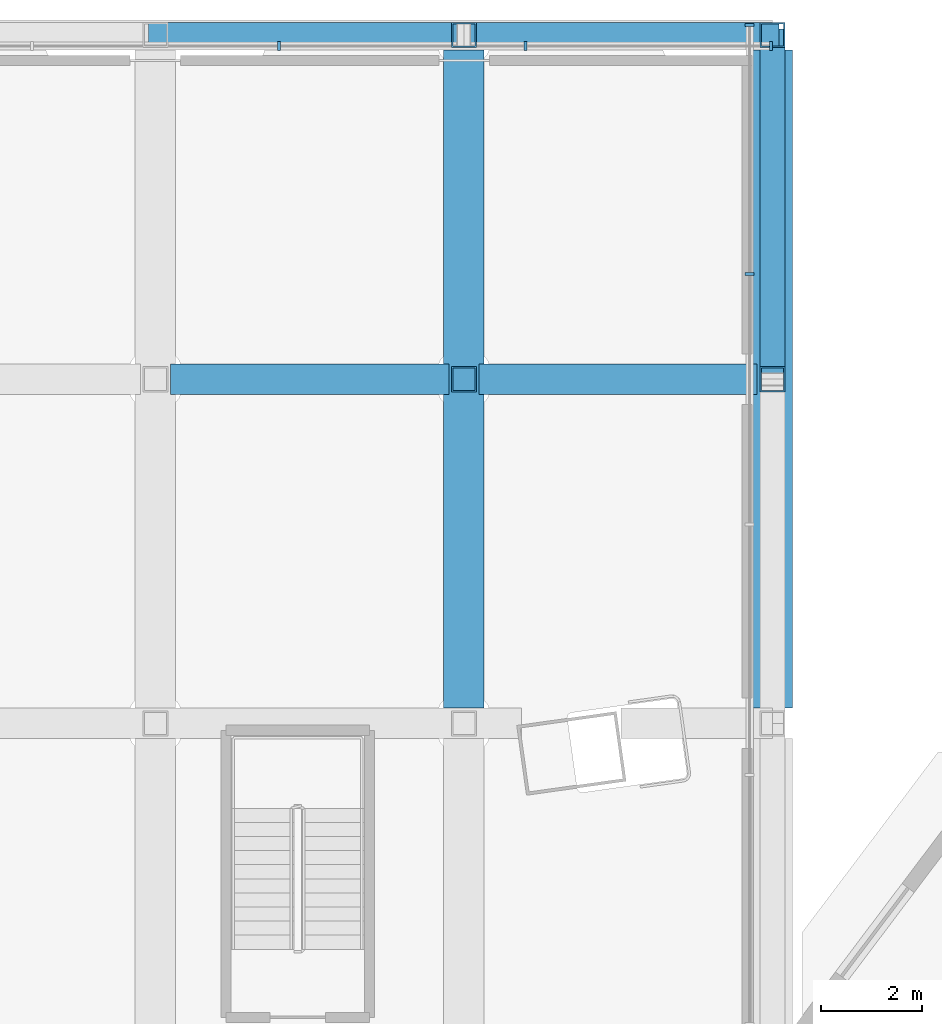
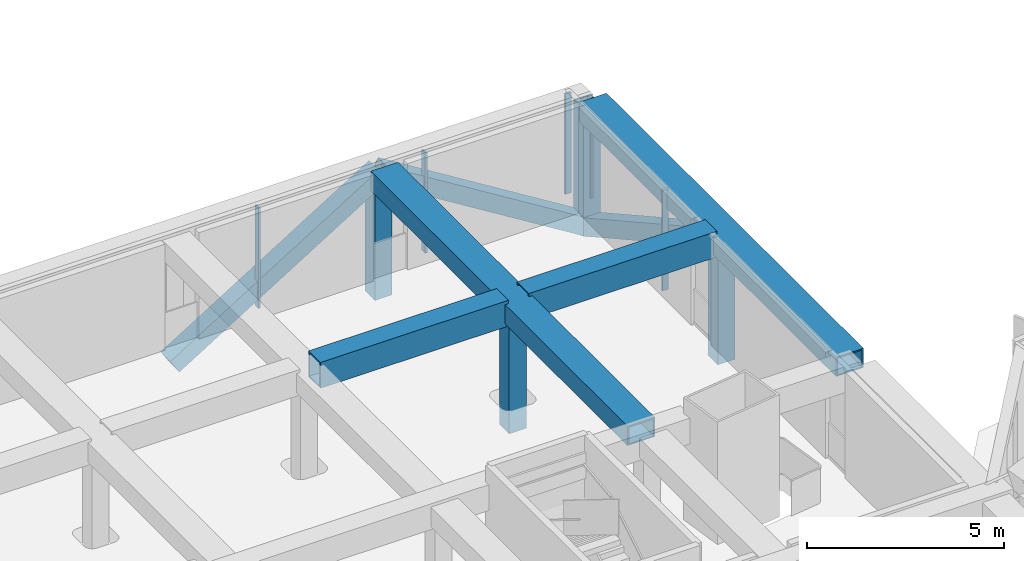
# One storey, part 11 of 25: 16 members, 2 elements without a shape of their own.
"""IFC4 building model written with IfcOpenShell, lengths in metres."""

from ifc_helpers import new_model, si_unit, direction, frame, origin, origin_2d, place, context, subcontext, project, spatial, rectangle, hollow_rectangle, extrude, material, material_profile, profile_set, type_object, element, aggregate, save


model = new_model("IFC4")

# Units and contexts
model_context = context("Model", 3, precision=1e-05, world=origin(), true_north=direction((0.0, 1.0)))
body_context = subcontext(model_context, "Body", "Model", "MODEL_VIEW")
ifc_project = project(units=[si_unit("LENGTHUNIT", "METRE"), si_unit("AREAUNIT", "SQUARE_METRE"), si_unit("VOLUMEUNIT", "CUBIC_METRE"), si_unit("PLANEANGLEUNIT", "RADIAN"), si_unit("MASSUNIT", "GRAM", prefix="KILO")], contexts=[model_context])

# Site, building, storey
site_placement = place(None, origin())
site = spatial("IfcSite", under=ifc_project, at=site_placement, CompositionType="ELEMENT")
building_placement = place(site_placement, origin())
building = spatial("IfcBuilding", under=site, at=building_placement, Name="Mirante Cascada Hotel Towers", CompositionType="ELEMENT")
storey_placement = place(building_placement, frame((0.0, 0.0, 266.0)))
storey = spatial("IfcBuildingStorey", under=building, at=storey_placement, Name="L64", CompositionType="ELEMENT", Elevation=266.0)

# Members
ifc_material_1 = material(Name="Steel ASTM A572 Gr 50", Category="steel")
ifc_material_profile_1 = material_profile(ifc_material_1, hollow_rectangle(XDim=0.6, YDim=0.8, WallThickness=0.04, at=origin_2d()), Name="Box chord 800x600x40 ASTM A572 Gr 50")
ifc_profile_set_1 = profile_set([ifc_material_profile_1], Name="Steel ASTM A572 Gr 50")
member_type_1 = type_object("IfcMemberType", Name="Box chord 800x600x40 ASTM A572 Gr 50", PredefinedType="CHORD", material=ifc_profile_set_1)
for number, where, z_axis, x_axis, name in (
    (1, (6.1257, 17.0475, 2.9), (0.0, 1.0, 0.0), (0.0, 0.0, 1.0), "dchord sky park Roof garden 16"),
    (2, (12.2514, 17.0475, 2.9), (0.0, 1.0, 0.0), (0.0, 0.0, 1.0), "dchord sky park Roof garden 20"),
):
    element("IfcMember", number, at=place(storey_placement, frame(where, z_axis=z_axis, x_axis=x_axis)), inside=storey, type_object=member_type_1, Name=name, PredefinedType="CHORD", context=body_context, shape_type="SweptSolid", body=[
        extrude(hollow_rectangle(XDim=0.6, YDim=0.8, WallThickness=0.04, at=origin_2d()), origin(), (0.0, 0.0, 1.0), 13.0667),
    ])
for number, where, z_axis, x_axis, name in (
    (3, (0.3, 23.5808, 2.9), (1.0, 0.0, 0.0), (0.0, 1.0, 0.0), "dchord sky park Roof garden 34"),
    (4, (6.4257, 23.5808, 2.9), (1.0, 0.0, 0.0), (0.0, 1.0, 0.0), "dchord sky park Roof garden 35"),
):
    element("IfcMember", number, at=place(storey_placement, frame(where, z_axis=z_axis, x_axis=x_axis)), inside=storey, type_object=member_type_1, Name=name, PredefinedType="CHORD", context=body_context, shape_type="SweptSolid", body=[
        extrude(hollow_rectangle(XDim=0.6, YDim=0.8, WallThickness=0.04, at=origin_2d()), origin(), (0.0, 0.0, 1.0), 5.5257),
    ])
ifc_material_2 = material(Name="Steel ASTM A572 Gr 50", Category="steel")
ifc_material_profile_2 = material_profile(ifc_material_2, hollow_rectangle(XDim=0.5, YDim=0.5, WallThickness=0.03, at=origin_2d()), Name="Box diagonal 500x500x30 ASTM A572 Gr 50")
ifc_profile_set_2 = profile_set([ifc_material_profile_2], Name="Steel ASTM A572 Gr 50")
member_type_2 = type_object("IfcMemberType", Name="Box diagonal 500x500x30 ASTM A572 Gr 50", PredefinedType="BRACE", material=ifc_profile_set_2)
member_1_placement = place(storey_placement, frame((12.2514, 30.4142, -0.9), z_axis=(0.0, -0.8739581, 0.4860012), x_axis=(1.0, 0.0, 0.0)))
element("IfcMember", 5, at=member_1_placement, inside=storey, type_object=member_type_2, Name="ddiag sky park L64 10", PredefinedType="BRACE", context=body_context, shape_type="SweptSolid", body=[
    extrude(hollow_rectangle(XDim=0.5, YDim=0.5, WallThickness=0.03, at=origin_2d()), origin(), (0.0, 0.0, 1.0), 7.8189),
])
for number, where, z_axis, x_axis, name in (
    (6, (0.0, 30.4142, -0.9), (0.8497743, 0.0, 0.5271467), (0.0, 1.0, 0.0), "ddiag sky park L64 13"),
    (7, (12.2514, 30.4142, -0.9), (-0.8497743, 0.0, 0.5271467), (0.0, -1.0, 0.0), "ddiag sky park L64 14"),
):
    element("IfcMember", number, at=place(storey_placement, frame(where, z_axis=z_axis, x_axis=x_axis)), inside=storey, type_object=member_type_2, Name=name, PredefinedType="BRACE", context=body_context, shape_type="SweptSolid", body=[
        extrude(hollow_rectangle(XDim=0.5, YDim=0.5, WallThickness=0.03, at=origin_2d()), origin(), (0.0, 0.0, 1.0), 7.2086),
    ])
ifc_material_3 = material(Name="Steel ASTM A572 Gr 50", Category="steel")
ifc_material_profile_3 = material_profile(ifc_material_3, hollow_rectangle(XDim=0.5, YDim=0.5, WallThickness=0.03, at=origin_2d()), Name="Box post 500x500x30 ASTM A572 Gr 50")
ifc_profile_set_3 = profile_set([ifc_material_profile_3], Name="Steel ASTM A572 Gr 50")
member_type_3 = type_object("IfcMemberType", Name="Box post 500x500x30 ASTM A572 Gr 50", PredefinedType="POST", material=ifc_profile_set_3)
for number, where, z_axis, x_axis, name in (
    (8, (6.1257, 23.5808, -0.9), (0.0, 0.0, 1.0), (1.0, 0.0, 0.0), "dpost sky park L64 27"),
    (9, (6.1257, 30.4142, -0.9), (0.0, 0.0, 1.0), (1.0, 0.0, 0.0), "dpost sky park L64 28"),
    (10, (12.2514, 23.5808, -0.9), (0.0, 0.0, 1.0), (1.0, 0.0, 0.0), "dpost sky park L64 34"),
    (11, (12.2514, 30.4142, -0.9), (0.0, 0.0, 1.0), (1.0, 0.0, 0.0), "dpost sky park L64 35"),
):
    element("IfcMember", number, at=place(storey_placement, frame(where, z_axis=z_axis, x_axis=x_axis)), inside=storey, type_object=member_type_3, Name=name, PredefinedType="POST", context=body_context, shape_type="SweptSolid", body=[
        extrude(hollow_rectangle(XDim=0.5, YDim=0.5, WallThickness=0.03, at=origin_2d()), origin(), (0.0, 0.0, 1.0), 3.8),
    ])

# Curtain wall, members
ifc_material_4 = material(Name="Aluminium mullion and transom frame with clear laminated glass", Category="aluminium")
curtain_wall_type = type_object("IfcCurtainWallType", Name="Sky park deck curtain wall ECW5", PredefinedType="NOTDEFINED", material=ifc_material_4)
curtain_wall_1_placement = place(storey_placement, origin())
curtain_wall_1 = element("IfcCurtainWall", 12, at=curtain_wall_1_placement, inside=storey, type_object=curtain_wall_type, Name="Sky park glazing L64 run 3", PredefinedType="NOTDEFINED")
ifc_material_5 = material(Name="Anodised aluminium extrusion", Category="aluminium")
ifc_material_profile_4 = material_profile(ifc_material_5, rectangle(XDim=0.18, YDim=0.06, at=origin_2d()), Name="ECW5 MULLION 60x180")
ifc_profile_set_4 = profile_set([ifc_material_profile_4], Name="Anodised aluminium extrusion")
member_type_4 = type_object("IfcMemberType", Name="ECW5 mullion 60x180", PredefinedType="MULLION", material=ifc_profile_set_4)
member_2_placement = place(storey_placement, frame((11.8014, 25.6731, 0.09), z_axis=(0.0, 0.0, 1.0), x_axis=(-1.0, 0.0, 0.0)))
member_2 = element("IfcMember", 13, at=member_2_placement, type_object=member_type_4, Name="ECW5 mullion 4", PredefinedType="MULLION", context=body_context, shape_type="SweptSolid", body=[
    extrude(rectangle(XDim=0.18, YDim=0.06, at=origin_2d()), origin(), (0.0, 0.0, 1.0), 3.12),
])
member_3_placement = place(storey_placement, frame((11.8014, 30.6181, 0.09), z_axis=(0.0, 0.0, 1.0), x_axis=(-1.0, 0.0, 0.0)))
member_3 = element("IfcMember", 14, at=member_3_placement, type_object=member_type_4, Name="ECW5 mullion 5", PredefinedType="MULLION", context=body_context, shape_type="SweptSolid", body=[
    extrude(rectangle(XDim=0.18, YDim=0.06, at=origin_2d()), origin(), (0.0, 0.0, 1.0), 3.12),
])
aggregate(curtain_wall_1, [member_2, member_3])

curtain_wall_2_placement = place(storey_placement, origin())
curtain_wall_2 = element("IfcCurtainWall", 15, at=curtain_wall_2_placement, inside=storey, type_object=curtain_wall_type, Name="Sky park glazing L64 run 4", PredefinedType="NOTDEFINED")
member_4_placement = place(storey_placement, frame((12.2214, 30.1981, 0.09), z_axis=(0.0, 0.0, 1.0), x_axis=(0.0, -1.0, 0.0)))
member_4 = element("IfcMember", 16, at=member_4_placement, type_object=member_type_4, Name="ECW5 mullion 1", PredefinedType="MULLION", context=body_context, shape_type="SweptSolid", body=[
    extrude(rectangle(XDim=0.18, YDim=0.06, at=origin_2d()), origin(), (0.0, 0.0, 1.0), 3.12),
])
member_5_placement = place(storey_placement, frame((7.3508, 30.1981, 0.09), z_axis=(0.0, 0.0, 1.0), x_axis=(0.0, -1.0, 0.0)))
member_5 = element("IfcMember", 17, at=member_5_placement, type_object=member_type_4, Name="ECW5 mullion 2", PredefinedType="MULLION", context=body_context, shape_type="SweptSolid", body=[
    extrude(rectangle(XDim=0.18, YDim=0.06, at=origin_2d()), origin(), (0.0, 0.0, 1.0), 3.12),
])
member_6_placement = place(storey_placement, frame((2.4503, 30.1981, 0.09), z_axis=(0.0, 0.0, 1.0), x_axis=(0.0, -1.0, 0.0)))
member_6 = element("IfcMember", 18, at=member_6_placement, type_object=member_type_4, Name="ECW5 mullion 3", PredefinedType="MULLION", context=body_context, shape_type="SweptSolid", body=[
    extrude(rectangle(XDim=0.18, YDim=0.06, at=origin_2d()), origin(), (0.0, 0.0, 1.0), 3.12),
])
aggregate(curtain_wall_2, [member_4, member_5, member_6])

save(model, "model.ifc")
